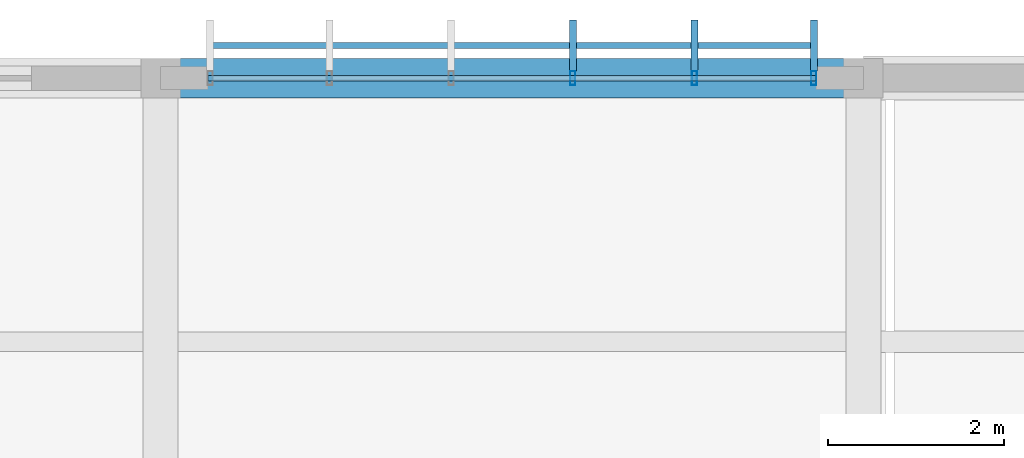
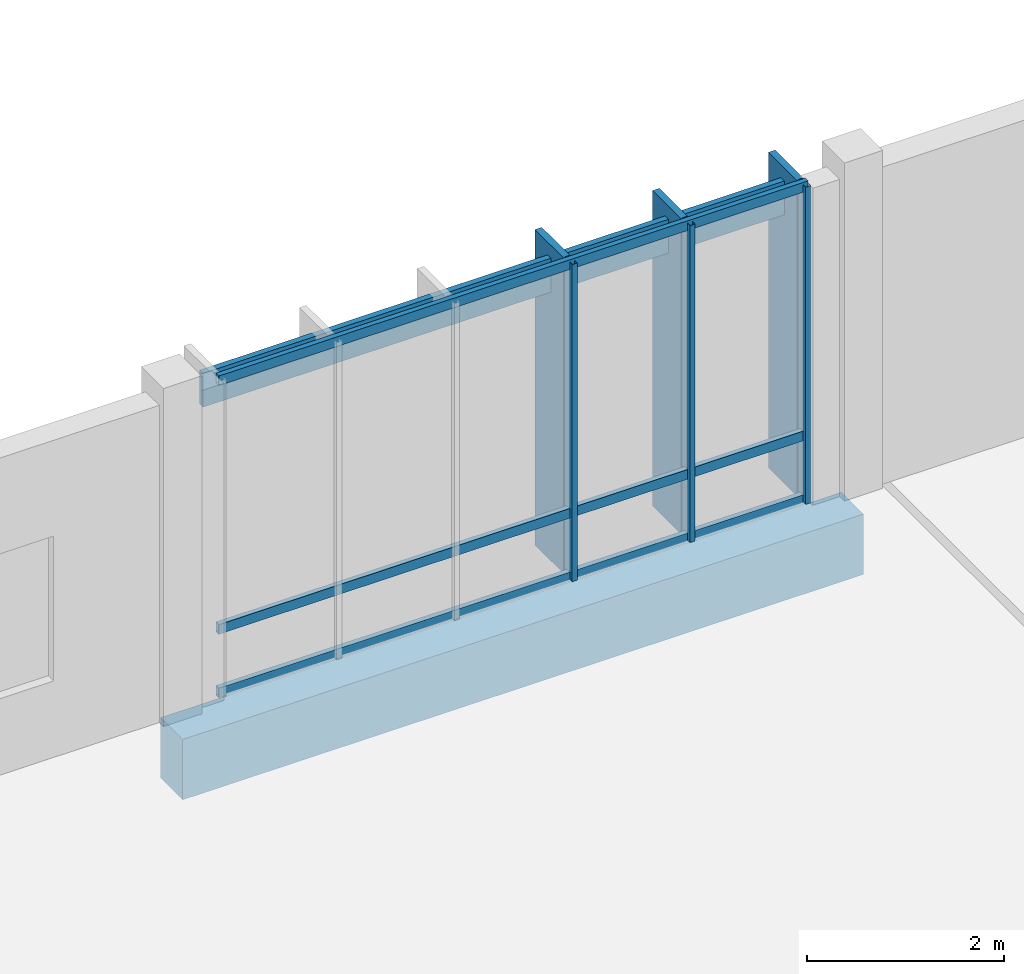
# One storey, part 63 of 94: 10 members, 1 beam, 1 element without a shape of its own.
"""IFC4 building model written with IfcOpenShell, lengths in metres."""

from ifc_helpers import new_model, si_unit, direction, frame, origin, origin_2d, place, context, subcontext, project, spatial, rectangle, hollow_rectangle, extrude, material, material_profile, profile_set, type_object, element, aggregate, save


model = new_model("IFC4")

# Units and contexts
model_context = context("Model", 3, precision=1e-05, world=origin(), true_north=direction((0.0, 1.0)))
body_context = subcontext(model_context, "Body", "Model", "MODEL_VIEW")
ifc_project = project(units=[si_unit("LENGTHUNIT", "METRE"), si_unit("AREAUNIT", "SQUARE_METRE"), si_unit("VOLUMEUNIT", "CUBIC_METRE"), si_unit("PLANEANGLEUNIT", "RADIAN"), si_unit("MASSUNIT", "GRAM", prefix="KILO")], contexts=[model_context])

# Site, building, storey
site_placement = place(None, origin())
site = spatial("IfcSite", under=ifc_project, at=site_placement, CompositionType="ELEMENT")
building_placement = place(site_placement, origin())
building = spatial("IfcBuilding", under=site, at=building_placement, Name="Chiffa Square Polytechnic", CompositionType="ELEMENT")
storey_placement = place(building_placement, frame((0.0, 0.0, 18.0)))
storey = spatial("IfcBuildingStorey", under=building, at=storey_placement, Name="L04", CompositionType="ELEMENT", Elevation=18.0)

# Beam
ifc_material_1 = material(Name="Concrete C35/45", Category="concrete")
ifc_material_profile_1 = material_profile(ifc_material_1, rectangle(XDim=0.449951171875, YDim=0.75, at=origin_2d()), Name="RC 450x750")
ifc_profile_set_1 = profile_set([ifc_material_profile_1], Name="Concrete C35/45")
beam_type = type_object("IfcBeamType", Name="BM-RC-450X750", PredefinedType="BEAM", material=ifc_profile_set_1)
beam_placement = place(storey_placement, frame((40.0, 130.800048828125, -0.614990234375), z_axis=(1.0, 0.0, 0.0), x_axis=(0.0, 1.0, 0.0)))
element("IfcBeam", 1, at=beam_placement, inside=storey, type_object=beam_type, Name="Primary floor girder BM-V5-L04-X-0400-1308", PredefinedType="BEAM", context=body_context, shape_type="SweptSolid", body=[
    extrude(rectangle(XDim=0.449951171875, YDim=0.75, at=origin_2d()), origin(), (0.0, 0.0, 1.0), 8.0),
])

# Curtain wall, members
ifc_material_2 = material(Name="Aluminium EN AW-6060 T66 and glulam shading", Category="wood")
curtain_wall_type = type_object("IfcCurtainWallType", Name="CW-VERT-480X380", PredefinedType="USERDEFINED", material=ifc_material_2)
curtain_wall_placement = place(storey_placement, origin())
curtain_wall = element("IfcCurtainWall", 2, at=curtain_wall_placement, inside=storey, type_object=curtain_wall_type, Name="Curtain wall CW-V5-L04-246", ObjectType="CURTAIN WALL", PredefinedType="USERDEFINED")
ifc_material_3 = material(Name="Aluminium EN AW-6060 T66", Category="aluminium")
ifc_material_profile_2 = material_profile(ifc_material_3, hollow_rectangle(XDim=0.06005859375, YDim=0.159912109375, WallThickness=0.00390625, at=origin_2d()), Name="ALU 60x160x4")
ifc_profile_set_2 = profile_set([ifc_material_profile_2], Name="Aluminium EN AW-6060 T66")
member_type_1 = type_object("IfcMemberType", Name="CWM-ALU-65X150", PredefinedType="MULLION", material=ifc_profile_set_2)
member_1_placement = place(storey_placement, frame((47.43505859375, 130.800048828125, 0.0), z_axis=(0.0, 0.0, 1.0), x_axis=(1.0, 0.0, 0.0)))
member_1 = element("IfcMember", 3, at=member_1_placement, type_object=member_type_1, Name="Curtain wall mullion CW-V5-L04-246-M00", PredefinedType="MULLION", context=body_context, shape_type="SweptSolid", body=[
    extrude(hollow_rectangle(XDim=0.06005859375, YDim=0.159912109375, WallThickness=0.00390625, at=origin_2d()), origin(), (0.0, 0.0, 1.0), 3.93994140625),
])
member_2_placement = place(storey_placement, frame((46.075927734375, 130.800048828125, 0.0), z_axis=(0.0, 0.0, 1.0), x_axis=(1.0, 0.0, 0.0)))
member_2 = element("IfcMember", 4, at=member_2_placement, type_object=member_type_1, Name="Curtain wall mullion CW-V5-L04-246-M01", PredefinedType="MULLION", context=body_context, shape_type="SweptSolid", body=[
    extrude(hollow_rectangle(XDim=0.06005859375, YDim=0.159912109375, WallThickness=0.00390625, at=origin_2d()), origin(), (0.0, 0.0, 1.0), 3.93994140625),
])
member_3_placement = place(storey_placement, frame((44.69189453125, 130.800048828125, 0.0), z_axis=(0.0, 0.0, 1.0), x_axis=(1.0, 0.0, 0.0)))
member_3 = element("IfcMember", 5, at=member_3_placement, type_object=member_type_1, Name="Curtain wall mullion CW-V5-L04-246-M02", PredefinedType="MULLION", context=body_context, shape_type="SweptSolid", body=[
    extrude(hollow_rectangle(XDim=0.06005859375, YDim=0.159912109375, WallThickness=0.00390625, at=origin_2d()), origin(), (0.0, 0.0, 1.0), 3.93994140625),
])
ifc_material_4 = material(Name="Glulam GL28h", Category="wood")
ifc_material_profile_3 = material_profile(ifc_material_4, rectangle(XDim=0.080078125, YDim=0.580078125, at=origin_2d()), Name="GL28h 80x580")
ifc_profile_set_3 = profile_set([ifc_material_profile_3], Name="Glulam GL28h")
member_type_2 = type_object("IfcMemberType", Name="CWM-GL-80X580", PredefinedType="MULLION", material=ifc_profile_set_3)
member_4_placement = place(storey_placement, frame((47.43505859375, 131.172119140625, 0.010009765625), z_axis=(0.0, 0.0, 1.0), x_axis=(-1.0, 0.0, 0.0)))
member_4 = element("IfcMember", 6, at=member_4_placement, type_object=member_type_2, Name="Exterior glulam solar fin CW-V5-L04-246-FN00", PredefinedType="MULLION", context=body_context, shape_type="SweptSolid", body=[
    extrude(rectangle(XDim=0.080078125, YDim=0.580078125, at=origin_2d()), origin(), (0.0, 0.0, 1.0), 3.919921875),
])
member_5_placement = place(storey_placement, frame((46.075927734375, 131.172119140625, 0.010009765625), z_axis=(0.0, 0.0, 1.0), x_axis=(-1.0, 0.0, 0.0)))
member_5 = element("IfcMember", 7, at=member_5_placement, type_object=member_type_2, Name="Exterior glulam solar fin CW-V5-L04-246-FN01", PredefinedType="MULLION", context=body_context, shape_type="SweptSolid", body=[
    extrude(rectangle(XDim=0.080078125, YDim=0.580078125, at=origin_2d()), origin(), (0.0, 0.0, 1.0), 3.919921875),
])
member_6_placement = place(storey_placement, frame((44.69189453125, 131.172119140625, 0.010009765625), z_axis=(0.0, 0.0, 1.0), x_axis=(-1.0, 0.0, 0.0)))
member_6 = element("IfcMember", 8, at=member_6_placement, type_object=member_type_2, Name="Exterior glulam solar fin CW-V5-L04-246-FN02", PredefinedType="MULLION", context=body_context, shape_type="SweptSolid", body=[
    extrude(rectangle(XDim=0.080078125, YDim=0.580078125, at=origin_2d()), origin(), (0.0, 0.0, 1.0), 3.919921875),
])
ifc_material_profile_4 = material_profile(ifc_material_3, hollow_rectangle(XDim=0.06005859375, YDim=0.1201171875, WallThickness=0.00390625, at=origin_2d()), Name="ALU 60x120x4")
ifc_profile_set_4 = profile_set([ifc_material_profile_4], Name="Aluminium EN AW-6060 T66")
member_type_3 = type_object("IfcMemberType", Name="CWT-ALU-65X120", PredefinedType="USERDEFINED", material=ifc_profile_set_4)
member_7_placement = place(storey_placement, frame((47.4619140625, 130.800048828125, 0.030029296875), z_axis=(-1.0, 0.0, 0.0), x_axis=(0.0, -1.0, 0.0)))
member_7 = element("IfcMember", 9, at=member_7_placement, type_object=member_type_3, Name="Curtain wall transom CW-V5-L04-246-T01", ObjectType="TRANSOM", PredefinedType="USERDEFINED", context=body_context, shape_type="SweptSolid", body=[
    extrude(hollow_rectangle(XDim=0.06005859375, YDim=0.1201171875, WallThickness=0.00390625, at=origin_2d()), origin(), (0.0, 0.0, 1.0), 6.923828125),
])
member_8_placement = place(storey_placement, frame((47.4619140625, 130.800048828125, 0.820068359375), z_axis=(-1.0, 0.0, 0.0), x_axis=(0.0, -1.0, 0.0)))
member_8 = element("IfcMember", 10, at=member_8_placement, type_object=member_type_3, Name="Curtain wall transom CW-V5-L04-246-T02", ObjectType="TRANSOM", PredefinedType="USERDEFINED", context=body_context, shape_type="SweptSolid", body=[
    extrude(hollow_rectangle(XDim=0.06005859375, YDim=0.1201171875, WallThickness=0.00390625, at=origin_2d()), origin(), (0.0, 0.0, 1.0), 6.923828125),
])
member_9_placement = place(storey_placement, frame((47.4619140625, 130.800048828125, 3.909912109375), z_axis=(-1.0, 0.0, 0.0), x_axis=(0.0, -1.0, 0.0)))
member_9 = element("IfcMember", 11, at=member_9_placement, type_object=member_type_3, Name="Curtain wall transom CW-V5-L04-246-T03", ObjectType="TRANSOM", PredefinedType="USERDEFINED", context=body_context, shape_type="SweptSolid", body=[
    extrude(hollow_rectangle(XDim=0.06005859375, YDim=0.1201171875, WallThickness=0.00390625, at=origin_2d()), origin(), (0.0, 0.0, 1.0), 6.923828125),
])
ifc_material_profile_5 = material_profile(ifc_material_4, rectangle(XDim=0.070068359375, YDim=0.419921875, at=origin_2d()), Name="GL28h 70x420")
ifc_profile_set_5 = profile_set([ifc_material_profile_5], Name="Glulam GL28h")
member_type_4 = type_object("IfcMemberType", Name="CWT-GL-70X420", PredefinedType="USERDEFINED", material=ifc_profile_set_5)
member_10_placement = place(storey_placement, frame((47.43505859375, 131.172119140625, 3.56005859375), z_axis=(-1.0, 0.0, 0.0), x_axis=(0.0, -1.0, 0.0)))
member_10 = element("IfcMember", 12, at=member_10_placement, type_object=member_type_4, Name="Exterior glulam brise-soleil CW-V5-L04-246-BS01", ObjectType="TRANSOM", PredefinedType="USERDEFINED", context=body_context, shape_type="SweptSolid", body=[
    extrude(rectangle(XDim=0.070068359375, YDim=0.419921875, at=origin_2d()), origin(), (0.0, 0.0, 1.0), 6.8701171875),
])
aggregate(curtain_wall, [member_1, member_4, member_2, member_5, member_3, member_6, member_7, member_8, member_9, member_10])

save(model, "model.ifc")
